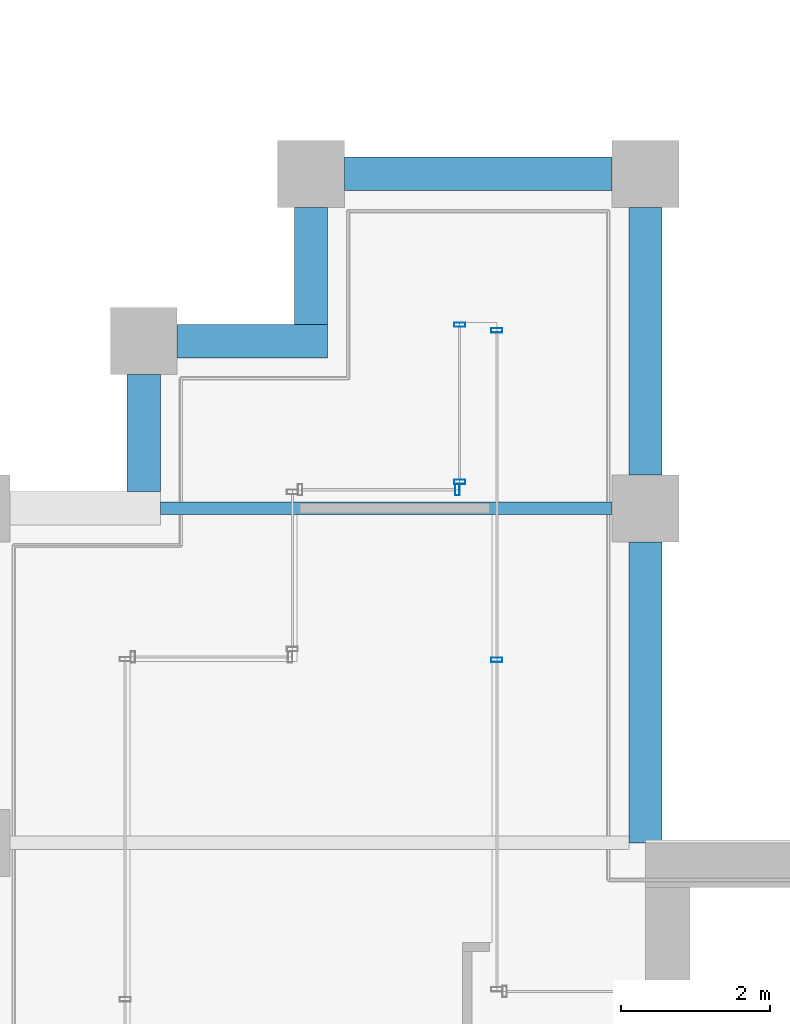
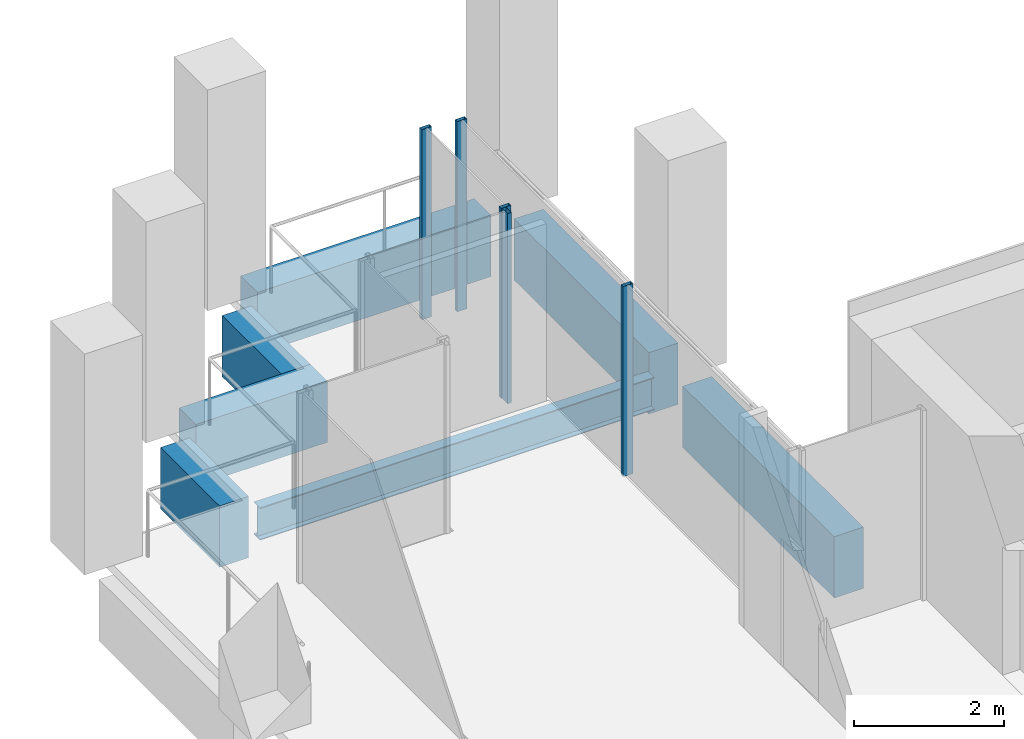
# One storey, part 33 of 40: 7 beams, 5 members, 3 elements without a shape of their own.
"""IFC4 building model written with IfcOpenShell, lengths in metres."""

from ifc_helpers import new_model, si_unit, direction, frame, origin, origin_2d, place, context, subcontext, project, spatial, rectangle, hollow_rectangle, i_section, extrude, material, material_profile, profile_set, type_object, element, aggregate, save


model = new_model("IFC4")

# Units and contexts
model_context = context("Model", 3, precision=1e-05, world=origin(), true_north=direction((0.0, 1.0)))
body_context = subcontext(model_context, "Body", "Model", "MODEL_VIEW")
ifc_project = project(units=[si_unit("LENGTHUNIT", "METRE"), si_unit("AREAUNIT", "SQUARE_METRE"), si_unit("VOLUMEUNIT", "CUBIC_METRE"), si_unit("PLANEANGLEUNIT", "RADIAN"), si_unit("MASSUNIT", "GRAM", prefix="KILO")], contexts=[model_context])

# Site, building, storey
site_placement = place(None, origin())
site = spatial("IfcSite", under=ifc_project, at=site_placement, CompositionType="ELEMENT")
building_placement = place(site_placement, origin())
building = spatial("IfcBuilding", under=site, at=building_placement, Name="Altepetl Exchange Towers", CompositionType="ELEMENT")
storey_placement = place(building_placement, frame((0.0, 0.0, 179.800048828125)))
storey = spatial("IfcBuildingStorey", under=building, at=storey_placement, Name="L45", CompositionType="ELEMENT", Elevation=179.800048828125)

# Beam
ifc_material_1 = material(Name="Steel S355", Category="steel")
ifc_material_profile_1 = material_profile(ifc_material_1, i_section(OverallWidth=0.166015625, OverallDepth=0.529052734375, WebThickness=0.009765625, FlangeThickness=0.013671875, at=origin_2d()), Name="W21X50")
ifc_profile_set_1 = profile_set([ifc_material_profile_1], Name="Steel S355")
beam_type_1 = type_object("IfcBeamType", Name="Floor beam W21X50", PredefinedType="BEAM", material=ifc_profile_set_1)
beam_1_placement = place(storey_placement, frame((96.97509765625, 54.0, -0.41455078125), z_axis=(1.0, 0.0, 0.0), x_axis=(0.0, 1.0, 0.0)))
element("IfcBeam", 1, at=beam_1_placement, inside=storey, type_object=beam_type_1, Name="bm:B:L45:007", PredefinedType="BEAM", context=body_context, shape_type="SweptSolid", body=[
    extrude(i_section(OverallWidth=0.166015625, OverallDepth=0.529052734375, WebThickness=0.009765625, FlangeThickness=0.013671875, at=origin_2d()), origin(), (0.0, 0.0, 1.0), 6.074951171875),
])

# Curtain wall, members
ifc_material_2 = material(Name="Aluminium 6063-T6 glazing", Category="aluminium")
curtain_wall_type = type_object("IfcCurtainWallType", Name="Loggia glazing system", PredefinedType="NOTDEFINED", material=ifc_material_2)
curtain_wall_1_placement = place(storey_placement, origin())
curtain_wall_1 = element("IfcCurtainWall", 2, at=curtain_wall_1_placement, inside=storey, type_object=curtain_wall_type, Name="CW1 run", PredefinedType="NOTDEFINED")
ifc_material_3 = material(Name="Aluminium 6063-T6", Category="aluminium")
ifc_material_profile_2 = material_profile(ifc_material_3, hollow_rectangle(XDim=0.06005859375, YDim=0.14990234375, WallThickness=0.0029296875, at=origin_2d()), Name="Mullion 60x150 aluminium")
ifc_profile_set_2 = profile_set([ifc_material_profile_2], Name="Aluminium 6063-T6")
member_type = type_object("IfcMemberType", Name="Mullion 60x150 aluminium", PredefinedType="MULLION", material=ifc_profile_set_2)
member_1_placement = place(storey_placement, frame((101.5, 51.96240234375, 0.0), z_axis=(0.0, 0.0, 1.0), x_axis=(0.0, 1.0, 0.0)))
member_1 = element("IfcMember", 3, at=member_1_placement, type_object=member_type, Name="MU1 mullion", PredefinedType="MULLION", context=body_context, shape_type="SweptSolid", body=[
    extrude(hollow_rectangle(XDim=0.06005859375, YDim=0.14990234375, WallThickness=0.0029296875, at=origin_2d()), origin(), (0.0, 0.0, 1.0), 3.099853515625),
])
member_2_placement = place(storey_placement, frame((101.5, 56.39501953125, 0.0), z_axis=(0.0, 0.0, 1.0), x_axis=(0.0, 1.0, 0.0)))
member_2 = element("IfcMember", 4, at=member_2_placement, type_object=member_type, Name="MU1 mullion", PredefinedType="MULLION", context=body_context, shape_type="SweptSolid", body=[
    extrude(hollow_rectangle(XDim=0.06005859375, YDim=0.14990234375, WallThickness=0.0029296875, at=origin_2d()), origin(), (0.0, 0.0, 1.0), 3.099853515625),
])
aggregate(curtain_wall_1, [member_1, member_2])

curtain_wall_2_placement = place(storey_placement, origin())
curtain_wall_2 = element("IfcCurtainWall", 5, at=curtain_wall_2_placement, inside=storey, type_object=curtain_wall_type, Name="CW1 run", PredefinedType="NOTDEFINED")
member_3_placement = place(storey_placement, frame((101.0, 56.469970703125, 0.0), z_axis=(0.0, 0.0, 1.0), x_axis=(0.0, -1.0, 0.0)))
member_3 = element("IfcMember", 6, at=member_3_placement, type_object=member_type, Name="MU1 mullion", PredefinedType="MULLION", context=body_context, shape_type="SweptSolid", body=[
    extrude(hollow_rectangle(XDim=0.06005859375, YDim=0.14990234375, WallThickness=0.0029296875, at=origin_2d()), origin(), (0.0, 0.0, 1.0), 3.099853515625),
])
member_4_placement = place(storey_placement, frame((101.0, 54.35498046875, 0.0), z_axis=(0.0, 0.0, 1.0), x_axis=(0.0, -1.0, 0.0)))
member_4 = element("IfcMember", 7, at=member_4_placement, type_object=member_type, Name="MU1 mullion", PredefinedType="MULLION", context=body_context, shape_type="SweptSolid", body=[
    extrude(hollow_rectangle(XDim=0.06005859375, YDim=0.14990234375, WallThickness=0.0029296875, at=origin_2d()), origin(), (0.0, 0.0, 1.0), 3.099853515625),
])
aggregate(curtain_wall_2, [member_3, member_4])

# Curtain wall, member
curtain_wall_3_placement = place(storey_placement, origin())
curtain_wall_3 = element("IfcCurtainWall", 8, at=curtain_wall_3_placement, inside=storey, type_object=curtain_wall_type, Name="CW1 run", PredefinedType="NOTDEFINED")
member_5_placement = place(storey_placement, frame((100.969970703125, 54.25, 0.0), z_axis=(0.0, 0.0, 1.0), x_axis=(-1.0, 0.0, 0.0)))
member_5 = element("IfcMember", 9, at=member_5_placement, type_object=member_type, Name="MU1 mullion", PredefinedType="MULLION", context=body_context, shape_type="SweptSolid", body=[
    extrude(hollow_rectangle(XDim=0.06005859375, YDim=0.14990234375, WallThickness=0.0029296875, at=origin_2d()), origin(), (0.0, 0.0, 1.0), 3.099853515625),
])
aggregate(curtain_wall_3, [member_5])

# Beams
ifc_material_4 = material(Name="Concrete C50/60 precast with cantera rosa facing", Category="concrete")
ifc_material_profile_3 = material_profile(ifc_material_4, rectangle(XDim=0.449951171875, YDim=1.0, at=origin_2d()), Name="450 x 1000")
ifc_profile_set_3 = profile_set([ifc_material_profile_3], Name="Concrete C50/60 precast with cantera rosa facing")
beam_type_2 = type_object("IfcBeamType", Name="Spandrel beam 450x1000 cantera rosa", PredefinedType="SPANDREL", material=ifc_profile_set_3)
beam_2_placement = place(storey_placement, frame((103.5, 49.5, -0.650146484375), z_axis=(0.0, 1.0, 0.0), x_axis=(-1.0, 0.0, 0.0)))
element("IfcBeam", 10, at=beam_2_placement, inside=storey, type_object=beam_type_2, Name="sp:B:L45:008", PredefinedType="SPANDREL", context=body_context, shape_type="SweptSolid", body=[
    extrude(rectangle(XDim=0.449951171875, YDim=1.0, at=origin_2d()), origin(), (0.0, 0.0, 1.0), 4.050048828125),
])
for number, where, z_axis, x_axis, name in (
    (11, (103.5, 54.449951171875, -0.650146484375), (0.0, 1.0, 0.0), (-1.0, 0.0, 0.0), "sp:B:L45:009"),
    (12, (103.050048828125, 58.5, -0.650146484375), (-1.0, 0.0, 0.0), (0.0, -1.0, 0.0), "sp:B:L45:010"),
):
    element("IfcBeam", number, at=place(storey_placement, frame(where, z_axis=z_axis, x_axis=x_axis)), inside=storey, type_object=beam_type_2, Name=name, PredefinedType="SPANDREL", context=body_context, shape_type="SweptSolid", body=[
        extrude(rectangle(XDim=0.449951171875, YDim=1.0, at=origin_2d()), origin(), (0.0, 0.0, 1.0), 3.60009765625),
    ])
beam_3_placement = place(storey_placement, frame((99.0, 58.050048828125, -0.650146484375), z_axis=(0.0, -1.0, 0.0), x_axis=(1.0, 0.0, 0.0)))
element("IfcBeam", 13, at=beam_3_placement, inside=storey, type_object=beam_type_2, Name="sp:B:L45:011", PredefinedType="SPANDREL", context=body_context, shape_type="SweptSolid", body=[
    extrude(rectangle(XDim=0.449951171875, YDim=1.0, at=origin_2d()), origin(), (0.0, 0.0, 1.0), 1.574951171875),
])
beam_4_placement = place(storey_placement, frame((99.22509765625, 56.25, -0.650146484375), z_axis=(-1.0, 0.0, 0.0), x_axis=(0.0, -1.0, 0.0)))
element("IfcBeam", 14, at=beam_4_placement, inside=storey, type_object=beam_type_2, Name="sp:B:L45:012", PredefinedType="SPANDREL", context=body_context, shape_type="SweptSolid", body=[
    extrude(rectangle(XDim=0.449951171875, YDim=1.0, at=origin_2d()), origin(), (0.0, 0.0, 1.0), 2.025146484375),
])
beam_5_placement = place(storey_placement, frame((96.75, 55.800048828125, -0.650146484375), z_axis=(0.0, -1.0, 0.0), x_axis=(1.0, 0.0, 0.0)))
element("IfcBeam", 15, at=beam_5_placement, inside=storey, type_object=beam_type_2, Name="sp:B:L45:013", PredefinedType="SPANDREL", context=body_context, shape_type="SweptSolid", body=[
    extrude(rectangle(XDim=0.449951171875, YDim=1.0, at=origin_2d()), origin(), (0.0, 0.0, 1.0), 1.574951171875),
])

save(model, "model.ifc")
